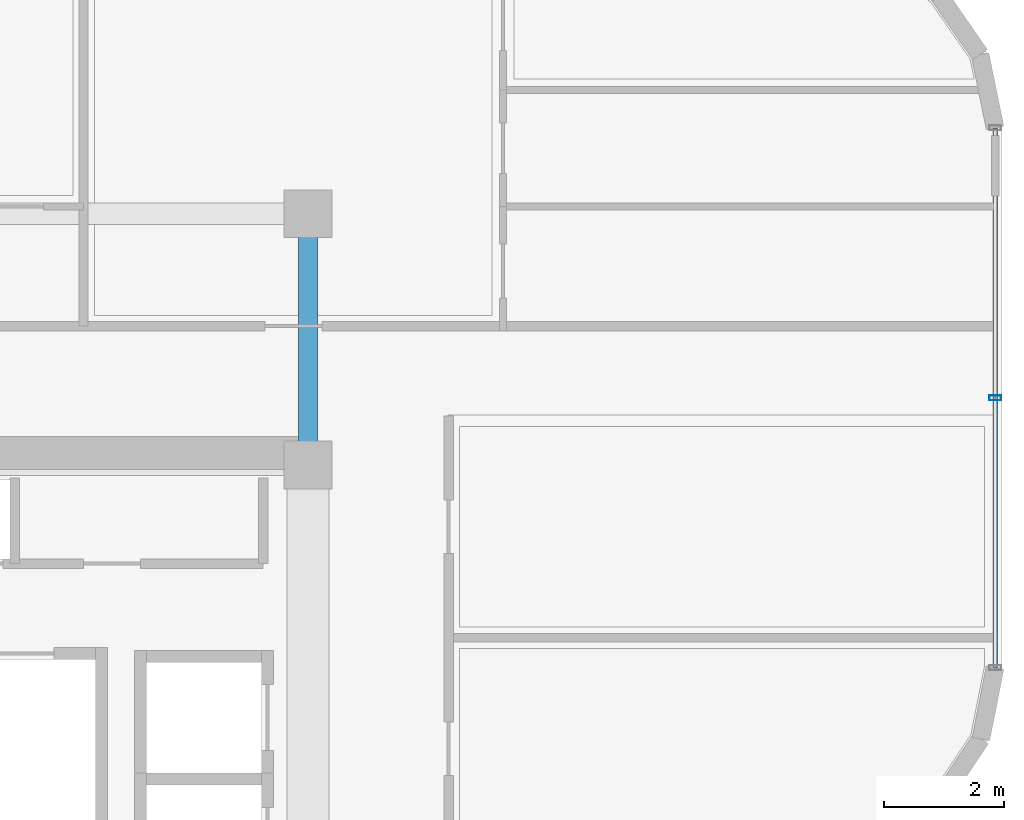
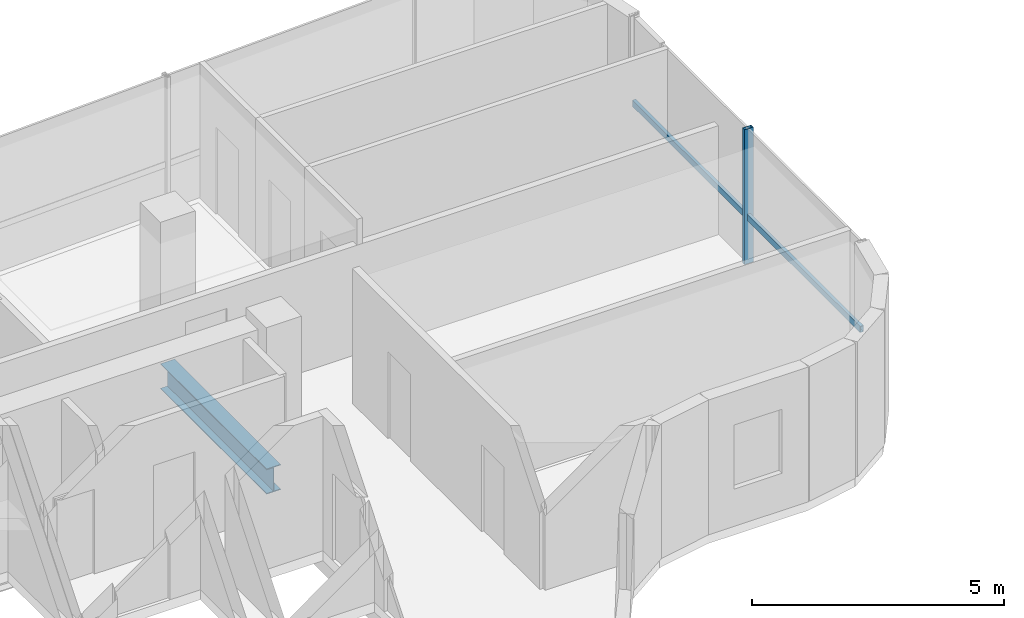
# One storey, part 9 of 18: 2 members, 1 beam, 1 element without a shape of its own.
"""IFC4 building model written with IfcOpenShell, lengths in metres."""

import ifcopenshell
import ifcopenshell.guid

model = None  # the IFC model being written
_history = None  # IfcOwnerHistory: only IFC2X3 demands one
_inside = {}  # id of a spatial element -> (the spatial element, [elements in it])
_under = {}  # id of a project, library or spatial element -> (it, [spatial elements below it])
_declared = {}  # id of a project -> (the project, [libraries it declares])
_typed = {}  # id of a type object -> (the type object, [elements of that type])
_made_of = {}  # id of a material, layer set ... -> (it, [elements and type objects made of it])


def new_model(schema):
    """Start an empty IFC model of exactly this schema.

    Asked for "IFC4X3", IfcOpenShell would pick the latest addendum, in which some entities
    have other attributes; the version numbers below select the first issue.
    IFC2X3 requires an IfcOwnerHistory on every rooted entity: one is made here for all.
    """
    global model, _history
    if schema == "IFC4X3":
        model = ifcopenshell.file(schema_version=(4, 3, 0, 0))
    else:
        model = ifcopenshell.file(schema=schema)
    _inside.clear()
    _under.clear()
    _declared.clear()
    _typed.clear()
    _made_of.clear()
    _history = None
    if model.schema == "IFC2X3":
        org = make("IfcOrganization", Name="unknown")
        user = make(
            "IfcPersonAndOrganization",
            ThePerson=make("IfcPerson", FamilyName="unknown"),
            TheOrganization=org,
        )
        app = make(
            "IfcApplication",
            ApplicationDeveloper=org,
            Version="unknown",
            ApplicationFullName="unknown",
            ApplicationIdentifier="unknown",
        )
        _history = make(
            "IfcOwnerHistory",
            OwningUser=user,
            OwningApplication=app,
            ChangeAction="ADDED",
            CreationDate=0,
        )
    return model


def make(cls, **values):
    """One entity of the class cls with the attributes given. An attribute that is None is left unset."""
    return model.create_entity(
        cls, **{name: value for name, value in values.items() if value is not None}
    )


def rooted(cls, **values):
    """An entity with a GlobalId (a new one), such as an element, a storey or a relation."""
    return make(cls, GlobalId=ifcopenshell.guid.new(), OwnerHistory=_history, **values)


def si_unit(unit_type, name, prefix=None):
    """IfcSIUnit, for example si_unit("LENGTHUNIT", "METRE", prefix="MILLI")."""
    return make("IfcSIUnit", UnitType=unit_type, Prefix=prefix, Name=name)


def assignment(units):
    """IfcUnitAssignment: the units of a project."""
    return None if units is None else make("IfcUnitAssignment", Units=units)


def point(xyz):
    """IfcCartesianPoint."""
    return None if xyz is None else make("IfcCartesianPoint", Coordinates=xyz)


def direction(xyz):
    """IfcDirection."""
    return None if xyz is None else make("IfcDirection", DirectionRatios=xyz)


def frame(location, z_axis=None, x_axis=None):
    """IfcAxis2Placement3D, a coordinate frame: its origin and axes. An axis left out is left unset."""
    return make(
        "IfcAxis2Placement3D",
        Location=point(location),
        Axis=direction(z_axis),
        RefDirection=direction(x_axis),
    )


def frame_2d(location, x_axis=None):
    """IfcAxis2Placement2D, a coordinate frame in the plane: its origin and x axis."""
    return make(
        "IfcAxis2Placement2D", Location=point(location), RefDirection=direction(x_axis)
    )


def origin():
    """The frame at (0, 0, 0) with its axes left unset."""
    return frame((0.0, 0.0, 0.0))


def origin_2d():
    """The frame at (0, 0) in the plane with its x axis left unset."""
    return frame_2d((0.0, 0.0))


def place(relative_to, where):
    """IfcLocalPlacement: puts the frame where relative to a parent placement (None: the world)."""
    return make(
        "IfcLocalPlacement", PlacementRelTo=relative_to, RelativePlacement=where
    )


def context(
    kind, dimensions, precision=None, world=None, true_north=None, identifier=None
):
    """IfcGeometricRepresentationContext, for example the 3D "Model" context."""
    return make(
        "IfcGeometricRepresentationContext",
        ContextIdentifier=identifier,
        ContextType=kind,
        CoordinateSpaceDimension=dimensions,
        Precision=precision,
        WorldCoordinateSystem=world,
        TrueNorth=true_north,
    )


def subcontext(parent, identifier, kind, view, scale=None):
    """IfcGeometricRepresentationSubContext, for example "Body" below "Model"."""
    return make(
        "IfcGeometricRepresentationSubContext",
        ContextIdentifier=identifier,
        ContextType=kind,
        ParentContext=parent,
        TargetScale=scale,
        TargetView=view,
    )


def project(units=None, contexts=None):
    """IfcProject with its units and contexts."""
    return rooted(
        "IfcProject",
        Name="project",
        RepresentationContexts=contexts,
        UnitsInContext=assignment(units),
    )


def spatial(cls, under=None, at=None, **own):
    """A site, building, storey or space (cls), placed at a placement, below another one or the project."""
    s = rooted(cls, ObjectPlacement=at, **own)
    if under is not None:
        _under.setdefault(under.id(), (under, []))[1].append(s)
    return s


def profile(cls, at=None, kind="AREA", **sizes):
    """A parametric profile (cls). Its sizes go by their IFC names, for example OverallWidth=200.0."""
    return make(cls, ProfileType=kind, Position=at, **sizes)


def hollow_rectangle(**sizes):
    """IfcRectangleHollowProfileDef."""
    return profile("IfcRectangleHollowProfileDef", **sizes)


def i_section(**sizes):
    """IfcIShapeProfileDef."""
    return profile("IfcIShapeProfileDef", **sizes)


def extrude(swept, where, along, depth):
    """IfcExtrudedAreaSolid: the profile swept, set in the frame where, extruded along a direction by depth."""
    return make(
        "IfcExtrudedAreaSolid",
        SweptArea=swept,
        Position=where,
        ExtrudedDirection=direction(along),
        Depth=depth,
    )


def shape(context_of_items, identifier, shape_type, items):
    """IfcShapeRepresentation: the items that make up one representation, for example the "Body"."""
    return make(
        "IfcShapeRepresentation",
        ContextOfItems=context_of_items,
        RepresentationIdentifier=identifier,
        RepresentationType=shape_type,
        Items=items,
    )


def source(mapping_origin, context_of_items, identifier, shape_type, items):
    """IfcRepresentationMap: a shape defined once, which mapped items show again and again."""
    return make(
        "IfcRepresentationMap",
        MappingOrigin=mapping_origin,
        MappedRepresentation=shape(context_of_items, identifier, shape_type, items),
    )


def transform(
    local_origin,
    x_axis=None,
    y_axis=None,
    z_axis=None,
    scale=None,
    scale2=None,
    scale3=None,
    uniform=True,
):
    """IfcCartesianTransformationOperator3D, or its non-uniform kind. x_axis, y_axis, z_axis: its Axis1, 2, 3."""
    if uniform:
        return make(
            "IfcCartesianTransformationOperator3D",
            Axis1=direction(x_axis),
            Axis2=direction(y_axis),
            LocalOrigin=point(local_origin),
            Scale=scale,
            Axis3=direction(z_axis),
        )
    return make(
        "IfcCartesianTransformationOperator3DnonUniform",
        Axis1=direction(x_axis),
        Axis2=direction(y_axis),
        LocalOrigin=point(local_origin),
        Scale=scale,
        Axis3=direction(z_axis),
        Scale2=scale2,
        Scale3=scale3,
    )


def mapped(mapping_source, mapping_target):
    """IfcMappedItem: shows the shape of a source again, moved by a transform."""
    return make(
        "IfcMappedItem", MappingSource=mapping_source, MappingTarget=mapping_target
    )


def material(Name=None, Category=None):
    """IfcMaterial."""
    return make("IfcMaterial", Name=Name, Category=Category)


def material_profile(
    of_material, cross_section, Name=None, Category=None, Priority=None
):
    """IfcMaterialProfile: a cross section and its material."""
    return make(
        "IfcMaterialProfile",
        Name=Name,
        Material=of_material,
        Profile=cross_section,
        Priority=Priority,
        Category=Category,
    )


def profile_set(profiles, Name=None, composite=None):
    """IfcMaterialProfileSet."""
    return make(
        "IfcMaterialProfileSet",
        Name=Name,
        MaterialProfiles=profiles,
        CompositeProfile=composite,
    )


def made_of(thing, what):
    """Note that an element or type object is made of a material, layer set ...; save() writes the relation."""
    if what is not None:
        _made_of.setdefault(what.id(), (what, []))[1].append(thing)
    return thing


def type_object(cls, material=None, **own):
    """A type object (cls), such as IfcWallType, which elements share."""
    return made_of(rooted(cls, **own), material)


def element(
    cls,
    number,
    at=None,
    inside=None,
    cuts=None,
    type_object=None,
    material=None,
    context=None,
    identifier="Body",
    shape_type=None,
    held_by="IfcProductDefinitionShape",
    body=None,
    shapes=None,
    **own,
):
    """One element of the class cls, such as IfcWall. Its Tag is "e" and its number.

    at: its placement. inside: the storey or other place that contains it. cuts: it is an
    opening in that element (IfcRelVoidsElement). A single representation is given by context,
    identifier, shape_type and body (its items); several are given by shapes. held_by: the class
    of the entity that holds the representations. save() writes the other relations.
    """
    e = rooted(cls, Tag="e%d" % number, ObjectPlacement=at, **own)
    if body is not None:
        shapes = [shape(context, identifier, shape_type, body)]
    if shapes is not None:
        e.Representation = make(held_by, Representations=shapes)
    if inside is not None:
        _inside.setdefault(inside.id(), (inside, []))[1].append(e)
    if cuts is not None:
        rooted(
            "IfcRelVoidsElement", RelatingBuildingElement=cuts, RelatedOpeningElement=e
        )
    if type_object is not None:
        _typed.setdefault(type_object.id(), (type_object, []))[1].append(e)
    return made_of(e, material)


def aggregate(whole, parts):
    """IfcRelAggregates: a whole, such as a stair, and the parts it consists of."""
    return rooted("IfcRelAggregates", RelatingObject=whole, RelatedObjects=parts)


def save(model, path):
    """Write the relations noted so far, then the file.

    IfcRelAggregates (storeys below a building ...), IfcRelContainedInSpatialStructure (elements
    in a storey), IfcRelDefinesByType, IfcRelAssociatesMaterial and IfcRelDeclares: one each for
    every whole, place, type object, material and project.
    """
    for whole, parts in _under.values():
        aggregate(whole, parts)
    for where, things in _inside.values():
        rooted(
            "IfcRelContainedInSpatialStructure",
            RelatedElements=things,
            RelatingStructure=where,
        )
    for kind, things in _typed.values():
        rooted("IfcRelDefinesByType", RelatedObjects=things, RelatingType=kind)
    for what, things in _made_of.values():
        rooted("IfcRelAssociatesMaterial", RelatedObjects=things, RelatingMaterial=what)
    for by, libraries in _declared.values():
        rooted("IfcRelDeclares", RelatingContext=by, RelatedDefinitions=libraries)
    model.write(path)


model = new_model("IFC4")

# Units and contexts
model_context = context("Model", 3, precision=1e-05, world=origin(), true_north=direction((0.0, 1.0)))
body_context = subcontext(model_context, "Body", "Model", "MODEL_VIEW")
ifc_project = project(units=[si_unit("LENGTHUNIT", "METRE"), si_unit("AREAUNIT", "SQUARE_METRE"), si_unit("VOLUMEUNIT", "CUBIC_METRE"), si_unit("PLANEANGLEUNIT", "RADIAN"), si_unit("MASSUNIT", "GRAM", prefix="KILO")], contexts=[model_context])

# Site, building, storey
site_placement = place(None, origin())
site = spatial("IfcSite", under=ifc_project, at=site_placement, CompositionType="ELEMENT")
building_placement = place(site_placement, origin())
building = spatial("IfcBuilding", under=site, at=building_placement, Name="Valdorenza Pilgrim Sanctuary Tower", CompositionType="ELEMENT")
storey_placement = place(building_placement, frame((0.0, 0.0, 247.5)))
storey = spatial("IfcBuildingStorey", under=building, at=storey_placement, Name="L64", CompositionType="ELEMENT", Elevation=247.5)

# Beam
ifc_material_1 = material(Name="Steel ASTM A992 Grade 50", Category="steel")
ifc_material_profile_1 = material_profile(ifc_material_1, i_section(OverallWidth=0.323974609375, OverallDepth=0.611083984375, WebThickness=0.0126953125, FlangeThickness=0.01904296875, at=origin_2d()), Name="W24X104")
ifc_profile_set_1 = profile_set([ifc_material_profile_1], Name="Steel ASTM A992 Grade 50")
beam_type = type_object("IfcBeamType", Name="STR-BM-GRD-W24B", PredefinedType="BEAM", material=ifc_profile_set_1)
shared_shape_1 = source(origin(), body_context, "Body", "SweptSolid", [
    extrude(i_section(OverallWidth=0.323974609375, OverallDepth=0.611083984375, WebThickness=0.0126953125, FlangeThickness=0.01904296875, at=origin_2d()), origin(), (0.0, 0.0, 1.0), 4.199951171875),
])
beam_placement = place(storey_placement, frame((-12.39990234375, 10.60009765625, -0.54541015625), z_axis=(0.0, 1.0, 0.0), x_axis=(-1.0, 0.0, 0.0)))
element("IfcBeam", 1, at=beam_placement, inside=storey, type_object=beam_type, Name="L64 Core Tie Girder CA-E-N1N2", PredefinedType="BEAM", context=body_context, shape_type="MappedRepresentation", body=[
    mapped(shared_shape_1, transform((0.0, 0.0, 0.0), x_axis=(1.0, 0.0, 0.0), y_axis=(0.0, 1.0, 0.0), z_axis=(0.0, 0.0, 1.0), scale=1.0)),
])

# Curtain wall, members
ifc_material_2 = material(Name="Curtain-wall IGU glazing", Category="glass")
curtain_wall_type = type_object("IfcCurtainWallType", Name="CW-SYS-02", PredefinedType="NOTDEFINED", material=ifc_material_2)
curtain_wall_placement = place(storey_placement, origin())
curtain_wall = element("IfcCurtainWall", 2, at=curtain_wall_placement, inside=storey, type_object=curtain_wall_type, Name="L64 Curtain Wall CW-L64-1-11", PredefinedType="NOTDEFINED")
ifc_material_3 = material(Name="Anodised aluminium AW-6060", Category="aluminium")
ifc_material_profile_2 = material_profile(ifc_material_3, hollow_rectangle(XDim=0.0849609375, YDim=0.199951171875, WallThickness=0.0048828125, at=origin_2d()), Name="ALU-M 200x85x5")
ifc_profile_set_2 = profile_set([ifc_material_profile_2], Name="Anodised aluminium AW-6060")
member_type_1 = type_object("IfcMemberType", Name="CW-MUL-02", PredefinedType="MULLION", material=ifc_profile_set_2)
shared_shape_2 = source(origin(), body_context, "Body", "SweptSolid", [
    extrude(hollow_rectangle(XDim=0.0849609375, YDim=0.199951171875, WallThickness=0.0048828125, at=origin_2d()), origin(), (0.0, 0.0, 1.0), 3.260009765625),
])
member_1_placement = place(storey_placement, frame((-0.909912109375, 11.72265625, 0.0), z_axis=(0.0, 0.0, 1.0), x_axis=(0.0, -1.0, 0.0)))
member_1 = element("IfcMember", 3, at=member_1_placement, type_object=member_type_1, Name="CW-L64-1-11 Mullion 2", PredefinedType="MULLION", context=body_context, shape_type="MappedRepresentation", body=[
    mapped(shared_shape_2, transform((0.0, 0.0, 0.0), x_axis=(1.0, 0.0, 0.0), y_axis=(0.0, 1.0, 0.0), z_axis=(0.0, 0.0, 1.0), scale=1.0)),
])
ifc_material_profile_3 = material_profile(ifc_material_3, hollow_rectangle(XDim=0.074951171875, YDim=0.14990234375, WallThickness=0.00390625, at=origin_2d()), Name="ALU-T 150x75x4")
ifc_profile_set_3 = profile_set([ifc_material_profile_3], Name="Anodised aluminium AW-6060")
member_type_2 = type_object("IfcMemberType", Name="CW-TRN-02", PredefinedType="USERDEFINED", material=ifc_profile_set_3)
shared_shape_3 = source(origin(), body_context, "Body", "SweptSolid", [
    extrude(hollow_rectangle(XDim=0.074951171875, YDim=0.14990234375, WallThickness=0.00390625, at=origin_2d()), origin(), (0.0, 0.0, 1.0), 9.023681640625),
])
member_2_placement = place(storey_placement, frame((-0.909912109375, 16.234375, 1.1201171875), z_axis=(0.0, -1.0, 0.0), x_axis=(1.0, 0.0, 0.0)))
member_2 = element("IfcMember", 4, at=member_2_placement, type_object=member_type_2, Name="CW-L64-1-11 Transom 1", ObjectType="TRANSOM", PredefinedType="USERDEFINED", context=body_context, shape_type="MappedRepresentation", body=[
    mapped(shared_shape_3, transform((0.0, 0.0, 0.0), x_axis=(1.0, 0.0, 0.0), y_axis=(0.0, 1.0, 0.0), z_axis=(0.0, 0.0, 1.0), scale=1.0)),
])
aggregate(curtain_wall, [member_1, member_2])

save(model, "model.ifc")
